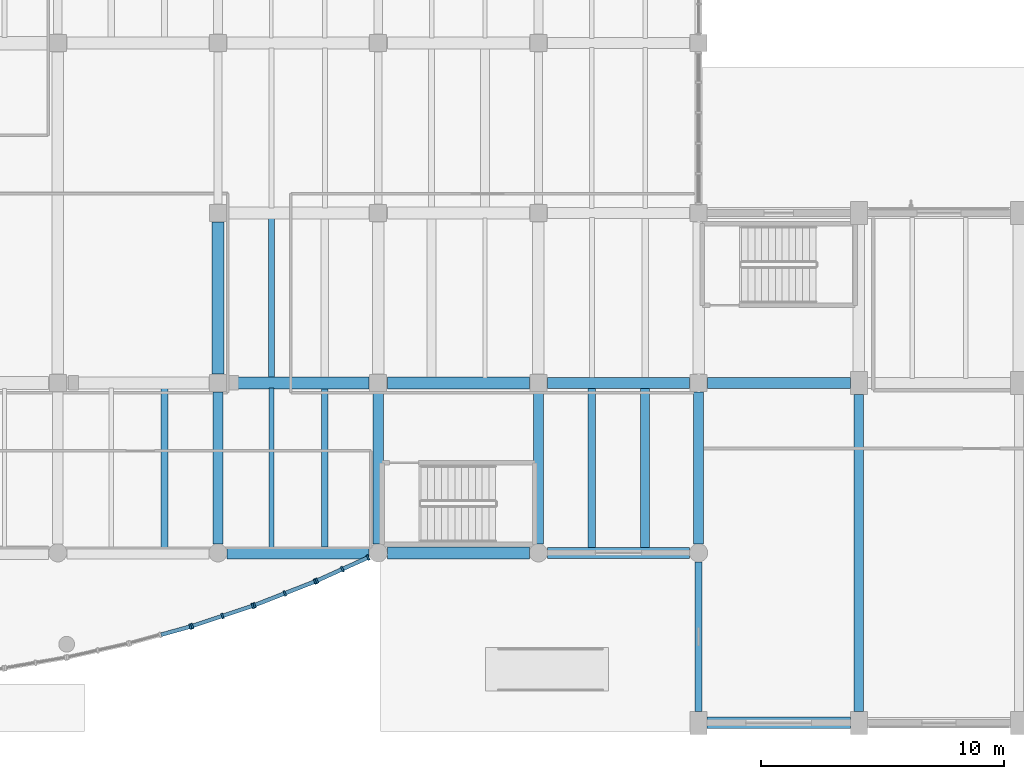
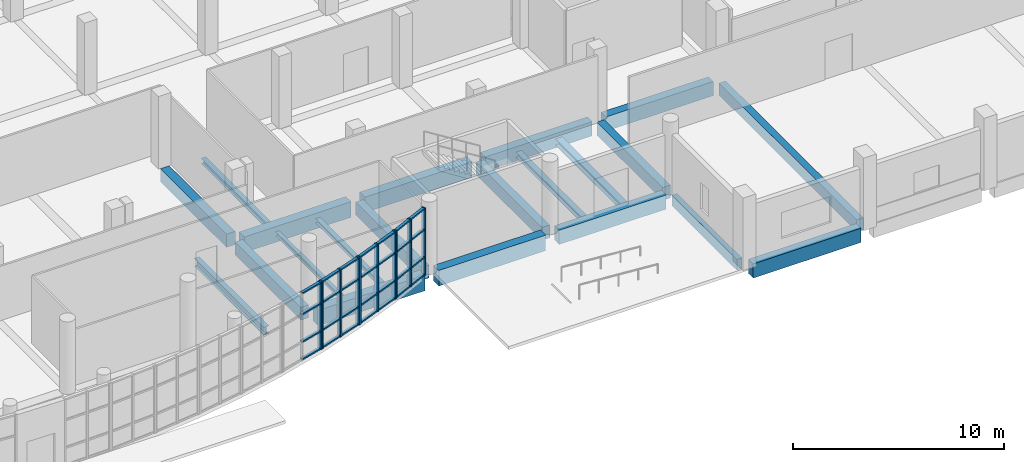
# One storey, part 13 of 69: 38 members, 21 beams, 4 elements without a shape of their own.
"""IFC4 building model written with IfcOpenShell, lengths in metres."""

from ifc_helpers import new_model, si_unit, direction, frame, origin, origin_2d, place, context, subcontext, project, spatial, rectangle, i_section, extrude, material, material_profile, profile_set, type_object, element, aggregate, save


model = new_model("IFC4")

# Units and contexts
model_context = context("Model", 3, precision=1e-05, world=origin(), true_north=direction((0.0, 1.0)))
body_context = subcontext(model_context, "Body", "Model", "MODEL_VIEW")
ifc_project = project(units=[si_unit("LENGTHUNIT", "METRE"), si_unit("AREAUNIT", "SQUARE_METRE"), si_unit("VOLUMEUNIT", "CUBIC_METRE"), si_unit("PLANEANGLEUNIT", "RADIAN"), si_unit("MASSUNIT", "GRAM", prefix="KILO")], contexts=[model_context])

# Site, building, storey
site_placement = place(None, origin())
site = spatial("IfcSite", under=ifc_project, at=site_placement, CompositionType="ELEMENT")
building_placement = place(site_placement, origin())
building = spatial("IfcBuilding", under=site, at=building_placement, Name="Ciguamira Faculty of Natural Sciences", CompositionType="ELEMENT")
storey_placement = place(building_placement, origin())
storey = spatial("IfcBuildingStorey", under=building, at=storey_placement, Name="L00", CompositionType="ELEMENT", Elevation=0.0)

# Curtain wall, member
ifc_material_1 = material(Name="Anodized aluminium curtain wall", Category="aluminium")
curtain_wall_type_1 = type_object("IfcCurtainWallType", Name="CurtainWall_CW-08", PredefinedType="USERDEFINED", material=ifc_material_1)
curtain_wall_1_placement = place(storey_placement, origin())
curtain_wall_1 = element("IfcCurtainWall", 1, at=curtain_wall_1_placement, inside=storey, type_object=curtain_wall_type_1, Name="L00 south gallery curved curtain wall 15", ObjectType="UNITISED CURTAIN WALL", PredefinedType="USERDEFINED")
ifc_material_2 = material(Name="Anodized aluminium mullion", Category="aluminium")
ifc_material_profile_1 = material_profile(ifc_material_2, rectangle(XDim=0.080078125, YDim=0.219970703125, at=origin_2d()), Name="ALU-MUL-80X220")
ifc_profile_set_1 = profile_set([ifc_material_profile_1], Name="Anodized aluminium mullion")
member_type_1 = type_object("IfcMemberType", Name="CWMullion_CWM-03", PredefinedType="MULLION", material=ifc_profile_set_1)
member_1_placement = place(storey_placement, frame((102.361572265625, 6.9638671875, 0.0), z_axis=(0.0, 0.0, 1.0), x_axis=(0.963573286652, 0.267444426472, 0.0)))
member_1 = element("IfcMember", 2, at=member_1_placement, type_object=member_type_1, Name="CW-08 mullion 3", PredefinedType="MULLION", context=body_context, shape_type="SweptSolid", body=[
    extrude(rectangle(XDim=0.080078125, YDim=0.219970703125, at=origin_2d()), origin(), (0.0, 0.0, 1.0), 3.89990234375),
])

# Curtain wall, members
curtain_wall_type_2 = type_object("IfcCurtainWallType", Name="CurtainWall_CW-09", PredefinedType="USERDEFINED", material=ifc_material_1)
curtain_wall_2_placement = place(storey_placement, origin())
curtain_wall_2 = element("IfcCurtainWall", 3, at=curtain_wall_2_placement, inside=storey, type_object=curtain_wall_type_2, Name="L00 south gallery curved curtain wall 16", ObjectType="UNITISED CURTAIN WALL", PredefinedType="USERDEFINED")
member_2_placement = place(storey_placement, frame((102.43798828125, 6.987060546875, 0.0), z_axis=(0.0, 0.0, 1.0), x_axis=(0.948735033862, 0.316072516242, 0.0)))
member_2 = element("IfcMember", 4, at=member_2_placement, type_object=member_type_1, Name="CW-09 mullion 1", PredefinedType="MULLION", context=body_context, shape_type="SweptSolid", body=[
    extrude(rectangle(XDim=0.080078125, YDim=0.219970703125, at=origin_2d()), origin(), (0.0, 0.0, 1.0), 3.89990234375),
])
member_3_placement = place(storey_placement, frame((103.683349609375, 7.402099609375, 0.0), z_axis=(0.0, 0.0, 1.0), x_axis=(0.948735033862, 0.316072516242, 0.0)))
member_3 = element("IfcMember", 5, at=member_3_placement, type_object=member_type_1, Name="CW-09 mullion 2", PredefinedType="MULLION", context=body_context, shape_type="SweptSolid", body=[
    extrude(rectangle(XDim=0.080078125, YDim=0.219970703125, at=origin_2d()), origin(), (0.0, 0.0, 1.0), 3.89990234375),
])
member_4_placement = place(storey_placement, frame((104.9287109375, 7.81689453125, 0.0), z_axis=(0.0, 0.0, 1.0), x_axis=(0.948735033862, 0.316072516242, 0.0)))
member_4 = element("IfcMember", 6, at=member_4_placement, type_object=member_type_1, Name="CW-09 mullion 3", PredefinedType="MULLION", context=body_context, shape_type="SweptSolid", body=[
    extrude(rectangle(XDim=0.080078125, YDim=0.219970703125, at=origin_2d()), origin(), (0.0, 0.0, 1.0), 3.89990234375),
])

curtain_wall_type_3 = type_object("IfcCurtainWallType", Name="CurtainWall_CW-10", PredefinedType="USERDEFINED", material=ifc_material_1)
curtain_wall_3_placement = place(storey_placement, origin())
curtain_wall_3 = element("IfcCurtainWall", 7, at=curtain_wall_3_placement, inside=storey, type_object=curtain_wall_type_3, Name="L00 south gallery curved curtain wall 17", ObjectType="UNITISED CURTAIN WALL", PredefinedType="USERDEFINED")
member_5_placement = place(storey_placement, frame((105.00390625, 7.84423828125, 0.0), z_axis=(0.0, 0.0, 1.0), x_axis=(0.931122296337, 0.36470710065, 0.0)))
member_5 = element("IfcMember", 8, at=member_5_placement, type_object=member_type_1, Name="CW-10 mullion 1", PredefinedType="MULLION", context=body_context, shape_type="SweptSolid", body=[
    extrude(rectangle(XDim=0.080078125, YDim=0.219970703125, at=origin_2d()), origin(), (0.0, 0.0, 1.0), 3.89990234375),
])
member_6_placement = place(storey_placement, frame((106.25, 8.332275390625, 0.0), z_axis=(0.0, 0.0, 1.0), x_axis=(0.931122296337, 0.36470710065, 0.0)))
member_6 = element("IfcMember", 9, at=member_6_placement, type_object=member_type_1, Name="CW-10 mullion 2", PredefinedType="MULLION", context=body_context, shape_type="SweptSolid", body=[
    extrude(rectangle(XDim=0.080078125, YDim=0.219970703125, at=origin_2d()), origin(), (0.0, 0.0, 1.0), 3.89990234375),
])
member_7_placement = place(storey_placement, frame((107.49609375, 8.8203125, 0.0), z_axis=(0.0, 0.0, 1.0), x_axis=(0.931122296337, 0.36470710065, 0.0)))
member_7 = element("IfcMember", 10, at=member_7_placement, type_object=member_type_1, Name="CW-10 mullion 3", PredefinedType="MULLION", context=body_context, shape_type="SweptSolid", body=[
    extrude(rectangle(XDim=0.080078125, YDim=0.219970703125, at=origin_2d()), origin(), (0.0, 0.0, 1.0), 3.89990234375),
])

curtain_wall_type_4 = type_object("IfcCurtainWallType", Name="CurtainWall_CW-11", PredefinedType="USERDEFINED", material=ifc_material_1)
curtain_wall_4_placement = place(storey_placement, origin())
curtain_wall_4 = element("IfcCurtainWall", 11, at=curtain_wall_4_placement, inside=storey, type_object=curtain_wall_type_4, Name="L00 south gallery curved curtain wall 18", ObjectType="UNITISED CURTAIN WALL", PredefinedType="USERDEFINED")
member_8_placement = place(storey_placement, frame((107.56982421875, 8.851318359375, 0.0), z_axis=(0.0, 0.0, 1.0), x_axis=(0.910580503774, 0.41333176281, 0.0)))
member_8 = element("IfcMember", 12, at=member_8_placement, type_object=member_type_1, Name="CW-11 mullion 1", PredefinedType="MULLION", context=body_context, shape_type="SweptSolid", body=[
    extrude(rectangle(XDim=0.080078125, YDim=0.219970703125, at=origin_2d()), origin(), (0.0, 0.0, 1.0), 3.89990234375),
])
member_9_placement = place(storey_placement, frame((108.62548828125, 9.33056640625, 0.0), z_axis=(0.0, 0.0, 1.0), x_axis=(0.910580503774, 0.41333176281, 0.0)))
member_9 = element("IfcMember", 13, at=member_9_placement, type_object=member_type_1, Name="CW-11 mullion 2", PredefinedType="MULLION", context=body_context, shape_type="SweptSolid", body=[
    extrude(rectangle(XDim=0.080078125, YDim=0.219970703125, at=origin_2d()), origin(), (0.0, 0.0, 1.0), 3.89990234375),
])
member_10_placement = place(storey_placement, frame((109.68115234375, 9.809814453125, 0.0), z_axis=(0.0, 0.0, 1.0), x_axis=(0.910580503774, 0.41333176281, 0.0)))
member_10 = element("IfcMember", 14, at=member_10_placement, type_object=member_type_1, Name="CW-11 mullion 3", PredefinedType="MULLION", context=body_context, shape_type="SweptSolid", body=[
    extrude(rectangle(XDim=0.080078125, YDim=0.219970703125, at=origin_2d()), origin(), (0.0, 0.0, 1.0), 3.89990234375),
])

# Member
ifc_material_3 = material(Name="Anodized aluminium transom", Category="aluminium")
ifc_material_profile_2 = material_profile(ifc_material_3, rectangle(XDim=0.080078125, YDim=0.159912109375, at=origin_2d()), Name="ALU-TRN-80X160")
ifc_profile_set_2 = profile_set([ifc_material_profile_2], Name="Anodized aluminium transom")
member_type_2 = type_object("IfcMemberType", Name="CWTransom_CWT-03", PredefinedType="USERDEFINED", material=ifc_profile_set_2)
member_11_placement = place(storey_placement, frame((101.1552734375, 6.62890625, 0.0400390625), z_axis=(0.963549650457, 0.267529570522, 0.0), x_axis=(0.0, 0.0, 1.0)))
member_11 = element("IfcMember", 15, at=member_11_placement, type_object=member_type_2, Name="CW-08 transom 2.1", ObjectType="TRANSOM", PredefinedType="USERDEFINED", context=body_context, shape_type="SweptSolid", body=[
    extrude(rectangle(XDim=0.080078125, YDim=0.159912109375, at=origin_2d()), origin(), (0.0, 0.0, 1.0), 1.2119140625),
])

member_12_placement = place(storey_placement, frame((101.1552734375, 6.62890625, 1.050048828125), z_axis=(0.963549650457, 0.267529570522, 0.0), x_axis=(0.0, 0.0, 1.0)))
member_12 = element("IfcMember", 16, at=member_12_placement, type_object=member_type_2, Name="CW-08 transom 2.2", ObjectType="TRANSOM", PredefinedType="USERDEFINED", context=body_context, shape_type="SweptSolid", body=[
    extrude(rectangle(XDim=0.080078125, YDim=0.159912109375, at=origin_2d()), origin(), (0.0, 0.0, 1.0), 1.2119140625),
])

member_13_placement = place(storey_placement, frame((101.1552734375, 6.62890625, 2.64990234375), z_axis=(0.963549650457, 0.267529570522, 0.0), x_axis=(0.0, 0.0, 1.0)))
member_13 = element("IfcMember", 17, at=member_13_placement, type_object=member_type_2, Name="CW-08 transom 2.3", ObjectType="TRANSOM", PredefinedType="USERDEFINED", context=body_context, shape_type="SweptSolid", body=[
    extrude(rectangle(XDim=0.080078125, YDim=0.159912109375, at=origin_2d()), origin(), (0.0, 0.0, 1.0), 1.2119140625),
])

member_14_placement = place(storey_placement, frame((101.1552734375, 6.62890625, 3.860107421875), z_axis=(0.963549650457, 0.267529570522, 0.0), x_axis=(0.0, 0.0, 1.0)))
member_14 = element("IfcMember", 18, at=member_14_placement, type_object=member_type_2, Name="CW-08 transom 2.4", ObjectType="TRANSOM", PredefinedType="USERDEFINED", context=body_context, shape_type="SweptSolid", body=[
    extrude(rectangle(XDim=0.080078125, YDim=0.159912109375, at=origin_2d()), origin(), (0.0, 0.0, 1.0), 1.2119140625),
])

aggregate(curtain_wall_1, [member_1, member_11, member_12, member_13, member_14])

member_15_placement = place(storey_placement, frame((102.475830078125, 6.999755859375, 0.0400390625), z_axis=(0.948742689117, 0.316049537013, 0.0), x_axis=(0.0, 0.0, 1.0)))
member_15 = element("IfcMember", 19, at=member_15_placement, type_object=member_type_2, Name="CW-09 transom 1.1", ObjectType="TRANSOM", PredefinedType="USERDEFINED", context=body_context, shape_type="SweptSolid", body=[
    extrude(rectangle(XDim=0.080078125, YDim=0.159912109375, at=origin_2d()), origin(), (0.0, 0.0, 1.0), 1.23291015625),
])

member_16_placement = place(storey_placement, frame((102.475830078125, 6.999755859375, 1.050048828125), z_axis=(0.948742689117, 0.316049537013, 0.0), x_axis=(0.0, 0.0, 1.0)))
member_16 = element("IfcMember", 20, at=member_16_placement, type_object=member_type_2, Name="CW-09 transom 1.2", ObjectType="TRANSOM", PredefinedType="USERDEFINED", context=body_context, shape_type="SweptSolid", body=[
    extrude(rectangle(XDim=0.080078125, YDim=0.159912109375, at=origin_2d()), origin(), (0.0, 0.0, 1.0), 1.23291015625),
])

member_17_placement = place(storey_placement, frame((102.475830078125, 6.999755859375, 2.64990234375), z_axis=(0.948742689117, 0.316049537013, 0.0), x_axis=(0.0, 0.0, 1.0)))
member_17 = element("IfcMember", 21, at=member_17_placement, type_object=member_type_2, Name="CW-09 transom 1.3", ObjectType="TRANSOM", PredefinedType="USERDEFINED", context=body_context, shape_type="SweptSolid", body=[
    extrude(rectangle(XDim=0.080078125, YDim=0.159912109375, at=origin_2d()), origin(), (0.0, 0.0, 1.0), 1.23291015625),
])

member_18_placement = place(storey_placement, frame((102.475830078125, 6.999755859375, 3.860107421875), z_axis=(0.948742689117, 0.316049537013, 0.0), x_axis=(0.0, 0.0, 1.0)))
member_18 = element("IfcMember", 22, at=member_18_placement, type_object=member_type_2, Name="CW-09 transom 1.4", ObjectType="TRANSOM", PredefinedType="USERDEFINED", context=body_context, shape_type="SweptSolid", body=[
    extrude(rectangle(XDim=0.080078125, YDim=0.159912109375, at=origin_2d()), origin(), (0.0, 0.0, 1.0), 1.23291015625),
])

member_19_placement = place(storey_placement, frame((103.72119140625, 7.414794921875, 0.0400390625), z_axis=(0.948802054129, 0.315871274543, 0.0), x_axis=(0.0, 0.0, 1.0)))
member_19 = element("IfcMember", 23, at=member_19_placement, type_object=member_type_2, Name="CW-09 transom 2.1", ObjectType="TRANSOM", PredefinedType="USERDEFINED", context=body_context, shape_type="SweptSolid", body=[
    extrude(rectangle(XDim=0.080078125, YDim=0.159912109375, at=origin_2d()), origin(), (0.0, 0.0, 1.0), 1.23291015625),
])

member_20_placement = place(storey_placement, frame((103.72119140625, 7.414794921875, 1.050048828125), z_axis=(0.948802054129, 0.315871274543, 0.0), x_axis=(0.0, 0.0, 1.0)))
member_20 = element("IfcMember", 24, at=member_20_placement, type_object=member_type_2, Name="CW-09 transom 2.2", ObjectType="TRANSOM", PredefinedType="USERDEFINED", context=body_context, shape_type="SweptSolid", body=[
    extrude(rectangle(XDim=0.080078125, YDim=0.159912109375, at=origin_2d()), origin(), (0.0, 0.0, 1.0), 1.23291015625),
])

member_21_placement = place(storey_placement, frame((103.72119140625, 7.414794921875, 2.64990234375), z_axis=(0.948802054129, 0.315871274543, 0.0), x_axis=(0.0, 0.0, 1.0)))
member_21 = element("IfcMember", 25, at=member_21_placement, type_object=member_type_2, Name="CW-09 transom 2.3", ObjectType="TRANSOM", PredefinedType="USERDEFINED", context=body_context, shape_type="SweptSolid", body=[
    extrude(rectangle(XDim=0.080078125, YDim=0.159912109375, at=origin_2d()), origin(), (0.0, 0.0, 1.0), 1.23291015625),
])

member_22_placement = place(storey_placement, frame((103.72119140625, 7.414794921875, 3.860107421875), z_axis=(0.948802054129, 0.315871274543, 0.0), x_axis=(0.0, 0.0, 1.0)))
member_22 = element("IfcMember", 26, at=member_22_placement, type_object=member_type_2, Name="CW-09 transom 2.4", ObjectType="TRANSOM", PredefinedType="USERDEFINED", context=body_context, shape_type="SweptSolid", body=[
    extrude(rectangle(XDim=0.080078125, YDim=0.159912109375, at=origin_2d()), origin(), (0.0, 0.0, 1.0), 1.23291015625),
])

aggregate(curtain_wall_2, [member_2, member_3, member_4, member_15, member_16, member_17, member_18, member_19, member_20, member_21, member_22])

member_23_placement = place(storey_placement, frame((105.041259765625, 7.85888671875, 0.0400390625), z_axis=(0.931142528587, 0.364655442104, 0.0), x_axis=(0.0, 0.0, 1.0)))
member_23 = element("IfcMember", 27, at=member_23_placement, type_object=member_type_2, Name="CW-10 transom 1.1", ObjectType="TRANSOM", PredefinedType="USERDEFINED", context=body_context, shape_type="SweptSolid", body=[
    extrude(rectangle(XDim=0.080078125, YDim=0.159912109375, at=origin_2d()), origin(), (0.0, 0.0, 1.0), 1.258056640625),
])

member_24_placement = place(storey_placement, frame((105.041259765625, 7.85888671875, 1.050048828125), z_axis=(0.931142528587, 0.364655442104, 0.0), x_axis=(0.0, 0.0, 1.0)))
member_24 = element("IfcMember", 28, at=member_24_placement, type_object=member_type_2, Name="CW-10 transom 1.2", ObjectType="TRANSOM", PredefinedType="USERDEFINED", context=body_context, shape_type="SweptSolid", body=[
    extrude(rectangle(XDim=0.080078125, YDim=0.159912109375, at=origin_2d()), origin(), (0.0, 0.0, 1.0), 1.258056640625),
])

member_25_placement = place(storey_placement, frame((105.041259765625, 7.85888671875, 2.64990234375), z_axis=(0.931142528587, 0.364655442104, 0.0), x_axis=(0.0, 0.0, 1.0)))
member_25 = element("IfcMember", 29, at=member_25_placement, type_object=member_type_2, Name="CW-10 transom 1.3", ObjectType="TRANSOM", PredefinedType="USERDEFINED", context=body_context, shape_type="SweptSolid", body=[
    extrude(rectangle(XDim=0.080078125, YDim=0.159912109375, at=origin_2d()), origin(), (0.0, 0.0, 1.0), 1.258056640625),
])

member_26_placement = place(storey_placement, frame((105.041259765625, 7.85888671875, 3.860107421875), z_axis=(0.931142528587, 0.364655442104, 0.0), x_axis=(0.0, 0.0, 1.0)))
member_26 = element("IfcMember", 30, at=member_26_placement, type_object=member_type_2, Name="CW-10 transom 1.4", ObjectType="TRANSOM", PredefinedType="USERDEFINED", context=body_context, shape_type="SweptSolid", body=[
    extrude(rectangle(XDim=0.080078125, YDim=0.159912109375, at=origin_2d()), origin(), (0.0, 0.0, 1.0), 1.258056640625),
])

member_27_placement = place(storey_placement, frame((106.287353515625, 8.346923828125, 0.0400390625), z_axis=(0.931142528587, 0.364655442104, 0.0), x_axis=(0.0, 0.0, 1.0)))
member_27 = element("IfcMember", 31, at=member_27_placement, type_object=member_type_2, Name="CW-10 transom 2.1", ObjectType="TRANSOM", PredefinedType="USERDEFINED", context=body_context, shape_type="SweptSolid", body=[
    extrude(rectangle(XDim=0.080078125, YDim=0.159912109375, at=origin_2d()), origin(), (0.0, 0.0, 1.0), 1.258056640625),
])

member_28_placement = place(storey_placement, frame((106.287353515625, 8.346923828125, 1.050048828125), z_axis=(0.931142528587, 0.364655442104, 0.0), x_axis=(0.0, 0.0, 1.0)))
member_28 = element("IfcMember", 32, at=member_28_placement, type_object=member_type_2, Name="CW-10 transom 2.2", ObjectType="TRANSOM", PredefinedType="USERDEFINED", context=body_context, shape_type="SweptSolid", body=[
    extrude(rectangle(XDim=0.080078125, YDim=0.159912109375, at=origin_2d()), origin(), (0.0, 0.0, 1.0), 1.258056640625),
])

member_29_placement = place(storey_placement, frame((106.287353515625, 8.346923828125, 2.64990234375), z_axis=(0.931142528587, 0.364655442104, 0.0), x_axis=(0.0, 0.0, 1.0)))
member_29 = element("IfcMember", 33, at=member_29_placement, type_object=member_type_2, Name="CW-10 transom 2.3", ObjectType="TRANSOM", PredefinedType="USERDEFINED", context=body_context, shape_type="SweptSolid", body=[
    extrude(rectangle(XDim=0.080078125, YDim=0.159912109375, at=origin_2d()), origin(), (0.0, 0.0, 1.0), 1.258056640625),
])

member_30_placement = place(storey_placement, frame((106.287353515625, 8.346923828125, 3.860107421875), z_axis=(0.931142528587, 0.364655442104, 0.0), x_axis=(0.0, 0.0, 1.0)))
member_30 = element("IfcMember", 34, at=member_30_placement, type_object=member_type_2, Name="CW-10 transom 2.4", ObjectType="TRANSOM", PredefinedType="USERDEFINED", context=body_context, shape_type="SweptSolid", body=[
    extrude(rectangle(XDim=0.080078125, YDim=0.159912109375, at=origin_2d()), origin(), (0.0, 0.0, 1.0), 1.258056640625),
])

aggregate(curtain_wall_3, [member_5, member_6, member_7, member_23, member_24, member_25, member_26, member_27, member_28, member_29, member_30])

member_31_placement = place(storey_placement, frame((107.606201171875, 8.867919921875, 0.0400390625), z_axis=(0.910536797913, 0.413428034422, 0.0), x_axis=(0.0, 0.0, 1.0)))
member_31 = element("IfcMember", 35, at=member_31_placement, type_object=member_type_2, Name="CW-11 transom 1.1", ObjectType="TRANSOM", PredefinedType="USERDEFINED", context=body_context, shape_type="SweptSolid", body=[
    extrude(rectangle(XDim=0.080078125, YDim=0.159912109375, at=origin_2d()), origin(), (0.0, 0.0, 1.0), 1.07958984375),
])

member_32_placement = place(storey_placement, frame((107.606201171875, 8.867919921875, 1.050048828125), z_axis=(0.910536797913, 0.413428034422, 0.0), x_axis=(0.0, 0.0, 1.0)))
member_32 = element("IfcMember", 36, at=member_32_placement, type_object=member_type_2, Name="CW-11 transom 1.2", ObjectType="TRANSOM", PredefinedType="USERDEFINED", context=body_context, shape_type="SweptSolid", body=[
    extrude(rectangle(XDim=0.080078125, YDim=0.159912109375, at=origin_2d()), origin(), (0.0, 0.0, 1.0), 1.07958984375),
])

member_33_placement = place(storey_placement, frame((107.606201171875, 8.867919921875, 2.64990234375), z_axis=(0.910536797913, 0.413428034422, 0.0), x_axis=(0.0, 0.0, 1.0)))
member_33 = element("IfcMember", 37, at=member_33_placement, type_object=member_type_2, Name="CW-11 transom 1.3", ObjectType="TRANSOM", PredefinedType="USERDEFINED", context=body_context, shape_type="SweptSolid", body=[
    extrude(rectangle(XDim=0.080078125, YDim=0.159912109375, at=origin_2d()), origin(), (0.0, 0.0, 1.0), 1.07958984375),
])

member_34_placement = place(storey_placement, frame((107.606201171875, 8.867919921875, 3.860107421875), z_axis=(0.910536797913, 0.413428034422, 0.0), x_axis=(0.0, 0.0, 1.0)))
member_34 = element("IfcMember", 38, at=member_34_placement, type_object=member_type_2, Name="CW-11 transom 1.4", ObjectType="TRANSOM", PredefinedType="USERDEFINED", context=body_context, shape_type="SweptSolid", body=[
    extrude(rectangle(XDim=0.080078125, YDim=0.159912109375, at=origin_2d()), origin(), (0.0, 0.0, 1.0), 1.07958984375),
])

member_35_placement = place(storey_placement, frame((108.661865234375, 9.34716796875, 0.0400390625), z_axis=(0.910621924114, 0.413240500585, 0.0), x_axis=(0.0, 0.0, 1.0)))
member_35 = element("IfcMember", 39, at=member_35_placement, type_object=member_type_2, Name="CW-11 transom 2.1", ObjectType="TRANSOM", PredefinedType="USERDEFINED", context=body_context, shape_type="SweptSolid", body=[
    extrude(rectangle(XDim=0.080078125, YDim=0.159912109375, at=origin_2d()), origin(), (0.0, 0.0, 1.0), 1.079345703125),
])

member_36_placement = place(storey_placement, frame((108.661865234375, 9.34716796875, 1.050048828125), z_axis=(0.910621924114, 0.413240500585, 0.0), x_axis=(0.0, 0.0, 1.0)))
member_36 = element("IfcMember", 40, at=member_36_placement, type_object=member_type_2, Name="CW-11 transom 2.2", ObjectType="TRANSOM", PredefinedType="USERDEFINED", context=body_context, shape_type="SweptSolid", body=[
    extrude(rectangle(XDim=0.080078125, YDim=0.159912109375, at=origin_2d()), origin(), (0.0, 0.0, 1.0), 1.079345703125),
])

member_37_placement = place(storey_placement, frame((108.661865234375, 9.34716796875, 2.64990234375), z_axis=(0.910621924114, 0.413240500585, 0.0), x_axis=(0.0, 0.0, 1.0)))
member_37 = element("IfcMember", 41, at=member_37_placement, type_object=member_type_2, Name="CW-11 transom 2.3", ObjectType="TRANSOM", PredefinedType="USERDEFINED", context=body_context, shape_type="SweptSolid", body=[
    extrude(rectangle(XDim=0.080078125, YDim=0.159912109375, at=origin_2d()), origin(), (0.0, 0.0, 1.0), 1.079345703125),
])

member_38_placement = place(storey_placement, frame((108.661865234375, 9.34716796875, 3.860107421875), z_axis=(0.910621924114, 0.413240500585, 0.0), x_axis=(0.0, 0.0, 1.0)))
member_38 = element("IfcMember", 42, at=member_38_placement, type_object=member_type_2, Name="CW-11 transom 2.4", ObjectType="TRANSOM", PredefinedType="USERDEFINED", context=body_context, shape_type="SweptSolid", body=[
    extrude(rectangle(XDim=0.080078125, YDim=0.159912109375, at=origin_2d()), origin(), (0.0, 0.0, 1.0), 1.079345703125),
])

aggregate(curtain_wall_4, [member_8, member_9, member_10, member_31, member_32, member_33, member_34, member_35, member_36, member_37, member_38])

# Beams
ifc_material_4 = material(Name="Concrete C40/50", Category="concrete")
ifc_material_profile_3 = material_profile(ifc_material_4, rectangle(XDim=0.5, YDim=0.89990234375, at=origin_2d()), Name="RC-BM-500X900")
ifc_profile_set_3 = profile_set([ifc_material_profile_3], Name="Concrete C40/50")
beam_type_1 = type_object("IfcBeamType", Name="RCBeam_BG-03_RC-BM-500X900", PredefinedType="BEAM", material=ifc_profile_set_3)
beam_1_placement = place(storey_placement, frame((103.875, 10.0, -0.449951171875), z_axis=(1.0, 0.0, 0.0), x_axis=(0.0, 1.0, 0.0)))
element("IfcBeam", 43, at=beam_1_placement, inside=storey, type_object=beam_type_1, Name="L00 RC girder EW-0030", PredefinedType="BEAM", context=body_context, shape_type="SweptSolid", body=[
    extrude(rectangle(XDim=0.5, YDim=0.89990234375, at=origin_2d()), origin(), (0.0, 0.0, 1.0), 5.85009765625),
])
beam_2_placement = place(storey_placement, frame((110.47509765625, 10.0, -0.449951171875), z_axis=(1.0, 0.0, 0.0), x_axis=(0.0, 1.0, 0.0)))
element("IfcBeam", 44, at=beam_2_placement, inside=storey, type_object=beam_type_1, Name="L00 RC girder EW-0031", PredefinedType="BEAM", context=body_context, shape_type="SweptSolid", body=[
    extrude(rectangle(XDim=0.5, YDim=0.89990234375, at=origin_2d()), origin(), (0.0, 0.0, 1.0), 5.849853515625),
])
beam_3_placement = place(storey_placement, frame((103.875, 17.0, -0.449951171875), z_axis=(1.0, 0.0, 0.0), x_axis=(0.0, 1.0, 0.0)))
element("IfcBeam", 45, at=beam_3_placement, inside=storey, type_object=beam_type_1, Name="L00 RC girder EW-0048", PredefinedType="BEAM", context=body_context, shape_type="SweptSolid", body=[
    extrude(rectangle(XDim=0.5, YDim=0.89990234375, at=origin_2d()), origin(), (0.0, 0.0, 1.0), 5.85009765625),
])
beam_4_placement = place(storey_placement, frame((110.47509765625, 17.0, -0.449951171875), z_axis=(1.0, 0.0, 0.0), x_axis=(0.0, 1.0, 0.0)))
element("IfcBeam", 46, at=beam_4_placement, inside=storey, type_object=beam_type_1, Name="L00 RC girder EW-0049", PredefinedType="BEAM", context=body_context, shape_type="SweptSolid", body=[
    extrude(rectangle(XDim=0.5, YDim=0.89990234375, at=origin_2d()), origin(), (0.0, 0.0, 1.0), 5.849853515625),
])
ifc_material_profile_4 = material_profile(ifc_material_4, rectangle(XDim=0.4599609375, YDim=0.820068359375, at=origin_2d()), Name="RC-BM-460X820")
ifc_profile_set_4 = profile_set([ifc_material_profile_4], Name="Concrete C40/50")
beam_type_2 = type_object("IfcBeamType", Name="RCBeam_BG-04_RC-BM-460X820", PredefinedType="BEAM", material=ifc_profile_set_4)
beam_5_placement = place(storey_placement, frame((123.64990234375, 3.0, -0.409912109375), z_axis=(1.0, 0.0, 0.0), x_axis=(0.0, 1.0, 0.0)))
element("IfcBeam", 47, at=beam_5_placement, inside=storey, type_object=beam_type_2, Name="L00 RC girder EW-0008", PredefinedType="BEAM", context=body_context, shape_type="SweptSolid", body=[
    extrude(rectangle(XDim=0.4599609375, YDim=0.820068359375, at=origin_2d()), origin(), (0.0, 0.0, 1.0), 5.900146484375),
])
for number, where, z_axis, x_axis, name in (
    (48, (117.074951171875, 10.0, -0.409912109375), (1.0, 0.0, 0.0), (0.0, 1.0, 0.0), "L00 RC girder EW-0032"),
    (49, (117.074951171875, 17.0, -0.409912109375), (1.0, 0.0, 0.0), (0.0, 1.0, 0.0), "L00 RC girder EW-0050"),
):
    element("IfcBeam", number, at=place(storey_placement, frame(where, z_axis=z_axis, x_axis=x_axis)), inside=storey, type_object=beam_type_2, Name=name, PredefinedType="BEAM", context=body_context, shape_type="SweptSolid", body=[
        extrude(rectangle(XDim=0.4599609375, YDim=0.820068359375, at=origin_2d()), origin(), (0.0, 0.0, 1.0), 5.85009765625),
    ])
beam_6_placement = place(storey_placement, frame((123.675048828125, 17.0, -0.409912109375), z_axis=(1.0, 0.0, 0.0), x_axis=(0.0, 1.0, 0.0)))
element("IfcBeam", 50, at=beam_6_placement, inside=storey, type_object=beam_type_2, Name="L00 RC girder EW-0051", PredefinedType="BEAM", context=body_context, shape_type="SweptSolid", body=[
    extrude(rectangle(XDim=0.4599609375, YDim=0.820068359375, at=origin_2d()), origin(), (0.0, 0.0, 1.0), 5.875),
])
ifc_material_profile_5 = material_profile(ifc_material_4, rectangle(XDim=0.419921875, YDim=0.739990234375, at=origin_2d()), Name="RC-BM-420X740")
ifc_profile_set_5 = profile_set([ifc_material_profile_5], Name="Concrete C40/50")
beam_type_3 = type_object("IfcBeamType", Name="RCBeam_BG-07_RC-BM-420X740", PredefinedType="BEAM", material=ifc_profile_set_5)
for number, where, z_axis, x_axis, name in (
    (51, (103.5, 10.375, -0.3701171875), (0.0, 1.0, 0.0), (-1.0, 0.0, 0.0), "L00 girder NS-0300"),
    (52, (110.10009765625, 10.375, -0.3701171875), (0.0, 1.0, 0.0), (-1.0, 0.0, 0.0), "L00 girder NS-0311"),
    (53, (116.699951171875, 10.375, -0.3701171875), (0.0, 1.0, 0.0), (-1.0, 0.0, 0.0), "L00 girder NS-0325"),
    (54, (123.300048828125, 10.375, -0.3701171875), (0.0, 1.0, 0.0), (-1.0, 0.0, 0.0), "L00 girder NS-0339"),
):
    element("IfcBeam", number, at=place(storey_placement, frame(where, z_axis=z_axis, x_axis=x_axis)), inside=storey, type_object=beam_type_3, Name=name, PredefinedType="BEAM", context=body_context, shape_type="SweptSolid", body=[
        extrude(rectangle(XDim=0.419921875, YDim=0.739990234375, at=origin_2d()), origin(), (0.0, 0.0, 1.0), 6.25),
    ])
ifc_material_profile_6 = material_profile(ifc_material_4, rectangle(XDim=0.3798828125, YDim=0.679931640625, at=origin_2d()), Name="RC-BM-380X680")
ifc_profile_set_6 = profile_set([ifc_material_profile_6], Name="Concrete C40/50")
beam_type_4 = type_object("IfcBeamType", Name="RCBeam_BG-09_RC-BM-380X680", PredefinedType="BEAM", material=ifc_profile_set_6)
beam_7_placement = place(storey_placement, frame((129.89990234375, 3.47509765625, -0.340087890625), z_axis=(0.0, 1.0, 0.0), x_axis=(-1.0, 0.0, 0.0)))
element("IfcBeam", 55, at=beam_7_placement, inside=storey, type_object=beam_type_4, Name="L00 girder NS-0343", PredefinedType="BEAM", context=body_context, shape_type="SweptSolid", body=[
    extrude(rectangle(XDim=0.3798828125, YDim=0.679931640625, at=origin_2d()), origin(), (0.0, 0.0, 1.0), 13.0498046875),
])
ifc_material_5 = material(Name="Precast concrete C40/50", Category="concrete")
ifc_material_profile_7 = material_profile(ifc_material_5, rectangle(XDim=0.280029296875, YDim=0.6201171875, at=origin_2d()), Name="RC-SP-280X620")
ifc_profile_set_7 = profile_set([ifc_material_profile_7], Name="Precast concrete C40/50")
beam_type_5 = type_object("IfcBeamType", Name="RCBeam_SP-01_RC-SP-280X620", PredefinedType="SPANDREL", material=ifc_profile_set_7)
beam_8_placement = place(storey_placement, frame((123.300048828125, 3.47509765625, -0.31005859375), z_axis=(0.0, 1.0, 0.0), x_axis=(-1.0, 0.0, 0.0)))
element("IfcBeam", 56, at=beam_8_placement, inside=storey, type_object=beam_type_5, Name="L00 girder NS-0338", PredefinedType="SPANDREL", context=body_context, shape_type="SweptSolid", body=[
    extrude(rectangle(XDim=0.280029296875, YDim=0.6201171875, at=origin_2d()), origin(), (0.0, 0.0, 1.0), 6.14990234375),
])
ifc_material_profile_8 = material_profile(ifc_material_4, rectangle(XDim=0.47998046875, YDim=0.760009765625, at=origin_2d()), Name="RC-TB-480X760")
ifc_profile_set_8 = profile_set([ifc_material_profile_8], Name="Concrete C40/50")
beam_type_6 = type_object("IfcBeamType", Name="RCBeam_TB-01_RC-TB-480X760", PredefinedType="T_BEAM", material=ifc_profile_set_8)
beam_9_placement = place(storey_placement, frame((103.5, 17.375, -0.3798828125), z_axis=(0.0, 1.0, 0.0), x_axis=(-1.0, 0.0, 0.0)))
element("IfcBeam", 57, at=beam_9_placement, inside=storey, type_object=beam_type_6, Name="L00 girder NS-0301", PredefinedType="T_BEAM", context=body_context, shape_type="SweptSolid", body=[
    extrude(rectangle(XDim=0.47998046875, YDim=0.760009765625, at=origin_2d()), origin(), (0.0, 0.0, 1.0), 6.25),
])
ifc_material_6 = material(Name="Steel ASTM A992 Grade 50", Category="steel")
ifc_material_profile_9 = material_profile(ifc_material_6, i_section(OverallWidth=0.2021484375, OverallDepth=0.2470703125, WebThickness=0.00732421875, FlangeThickness=0.010986328125, at=origin_2d()), Name="W10X33")
ifc_profile_set_9 = profile_set([ifc_material_profile_9], Name="Steel ASTM A992 Grade 50")
beam_type_7 = type_object("IfcBeamType", Name="SteelJoist_SJ-02_W10X33", PredefinedType="JOIST", material=ifc_profile_set_9)
beam_10_placement = place(storey_placement, frame((105.699951171875, 10.2099609375, -0.423583984375), z_axis=(0.0, 1.0, 0.0), x_axis=(-1.0, 0.0, 0.0)))
element("IfcBeam", 58, at=beam_10_placement, inside=storey, type_object=beam_type_7, Name="L00 composite steel joist 00248", PredefinedType="JOIST", context=body_context, shape_type="SweptSolid", body=[
    extrude(i_section(OverallWidth=0.2021484375, OverallDepth=0.2470703125, WebThickness=0.00732421875, FlangeThickness=0.010986328125, at=origin_2d()), origin(), (0.0, 0.0, 1.0), 6.580078125),
])
ifc_material_profile_10 = material_profile(ifc_material_6, i_section(OverallWidth=0.25390625, OverallDepth=0.25390625, WebThickness=0.008544921875, FlangeThickness=0.01416015625, at=origin_2d()), Name="W10X49")
ifc_profile_set_10 = profile_set([ifc_material_profile_10], Name="Steel ASTM A992 Grade 50")
beam_type_8 = type_object("IfcBeamType", Name="SteelJoist_SJ-03_W10X49", PredefinedType="JOIST", material=ifc_profile_set_10)
beam_11_placement = place(storey_placement, frame((107.89990234375, 10.2099609375, -0.427001953125), z_axis=(0.0, 1.0, 0.0), x_axis=(-1.0, 0.0, 0.0)))
element("IfcBeam", 59, at=beam_11_placement, inside=storey, type_object=beam_type_8, Name="L00 composite steel joist 00249", PredefinedType="JOIST", context=body_context, shape_type="SweptSolid", body=[
    extrude(i_section(OverallWidth=0.25390625, OverallDepth=0.25390625, WebThickness=0.008544921875, FlangeThickness=0.01416015625, at=origin_2d()), origin(), (0.0, 0.0, 1.0), 6.580078125),
])
ifc_material_profile_11 = material_profile(ifc_material_6, i_section(OverallWidth=0.25390625, OverallDepth=0.307373046875, WebThickness=0.0087890625, FlangeThickness=0.0146484375, at=origin_2d()), Name="W12X53")
ifc_profile_set_11 = profile_set([ifc_material_profile_11], Name="Steel ASTM A992 Grade 50")
beam_type_9 = type_object("IfcBeamType", Name="SteelJoist_SJ-07_W12X53", PredefinedType="JOIST", material=ifc_profile_set_11)
beam_12_placement = place(storey_placement, frame((105.699951171875, 17.2099609375, -0.45361328125), z_axis=(0.0, 1.0, 0.0), x_axis=(-1.0, 0.0, 0.0)))
element("IfcBeam", 60, at=beam_12_placement, inside=storey, type_object=beam_type_9, Name="L00 composite steel joist 00250", PredefinedType="JOIST", context=body_context, shape_type="SweptSolid", body=[
    extrude(i_section(OverallWidth=0.25390625, OverallDepth=0.307373046875, WebThickness=0.0087890625, FlangeThickness=0.0146484375, at=origin_2d()), origin(), (0.0, 0.0, 1.0), 6.580078125),
])
ifc_material_profile_12 = material_profile(ifc_material_6, i_section(OverallWidth=0.3046875, OverallDepth=0.307373046875, WebThickness=0.010009765625, FlangeThickness=0.015380859375, at=origin_2d()), Name="W12X65")
ifc_profile_set_12 = profile_set([ifc_material_profile_12], Name="Steel ASTM A992 Grade 50")
beam_type_10 = type_object("IfcBeamType", Name="SteelJoist_SJ-08_W12X65", PredefinedType="JOIST", material=ifc_profile_set_12)
beam_13_placement = place(storey_placement, frame((118.89990234375, 10.18994140625, -0.45361328125), z_axis=(0.0, 1.0, 0.0), x_axis=(-1.0, 0.0, 0.0)))
element("IfcBeam", 61, at=beam_13_placement, inside=storey, type_object=beam_type_10, Name="L00 composite steel joist 00305", PredefinedType="JOIST", context=body_context, shape_type="SweptSolid", body=[
    extrude(i_section(OverallWidth=0.3046875, OverallDepth=0.307373046875, WebThickness=0.010009765625, FlangeThickness=0.015380859375, at=origin_2d()), origin(), (0.0, 0.0, 1.0), 6.6201171875),
])
ifc_material_profile_13 = material_profile(ifc_material_6, i_section(OverallWidth=0.370849609375, OverallDepth=0.36328125, WebThickness=0.013427734375, FlangeThickness=0.021728515625, at=origin_2d()), Name="W14X109")
ifc_profile_set_13 = profile_set([ifc_material_profile_13], Name="Steel ASTM A992 Grade 50")
beam_type_11 = type_object("IfcBeamType", Name="SteelJoist_SJ-09_W14X109", PredefinedType="JOIST", material=ifc_profile_set_13)
beam_14_placement = place(storey_placement, frame((121.10009765625, 10.18994140625, -0.481689453125), z_axis=(0.0, 1.0, 0.0), x_axis=(-1.0, 0.0, 0.0)))
element("IfcBeam", 62, at=beam_14_placement, inside=storey, type_object=beam_type_11, Name="L00 composite steel joist 00306", PredefinedType="JOIST", context=body_context, shape_type="SweptSolid", body=[
    extrude(i_section(OverallWidth=0.370849609375, OverallDepth=0.36328125, WebThickness=0.013427734375, FlangeThickness=0.021728515625, at=origin_2d()), origin(), (0.0, 0.0, 1.0), 6.6201171875),
])
ifc_material_profile_14 = material_profile(ifc_material_6, i_section(OverallWidth=0.279296875, OverallDepth=0.462158203125, WebThickness=0.0107421875, FlangeThickness=0.017333984375, at=origin_2d()), Name="W18X76")
ifc_profile_set_14 = profile_set([ifc_material_profile_14], Name="Steel ASTM A992 Grade 50")
beam_type_12 = type_object("IfcBeamType", Name="SteelJoist_SJ-25_W18X76", PredefinedType="JOIST", material=ifc_profile_set_14)
beam_15_placement = place(storey_placement, frame((101.300048828125, 10.2099609375, -0.531005859375), z_axis=(0.0, 1.0, 0.0), x_axis=(-1.0, 0.0, 0.0)))
element("IfcBeam", 63, at=beam_15_placement, inside=storey, type_object=beam_type_12, Name="L00 composite steel joist 00224", PredefinedType="JOIST", context=body_context, shape_type="SweptSolid", body=[
    extrude(i_section(OverallWidth=0.279296875, OverallDepth=0.462158203125, WebThickness=0.0107421875, FlangeThickness=0.017333984375, at=origin_2d()), origin(), (0.0, 0.0, 1.0), 6.580078125),
])

save(model, "model.ifc")
